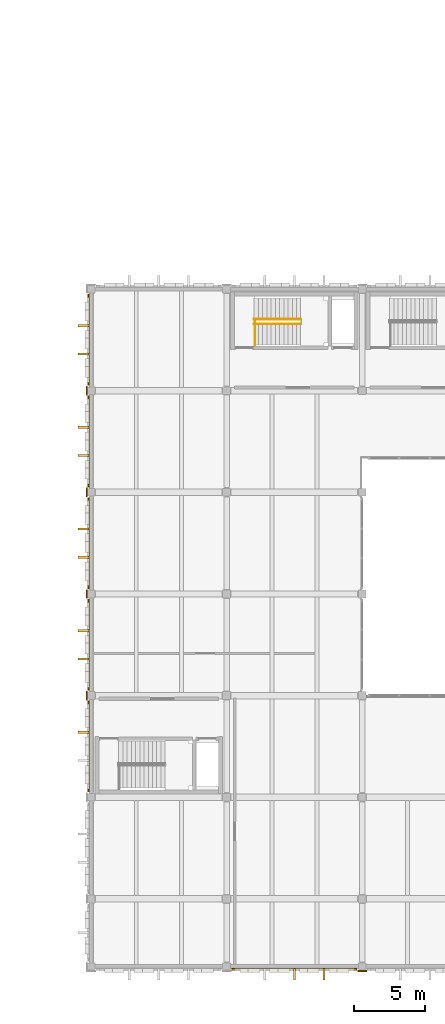
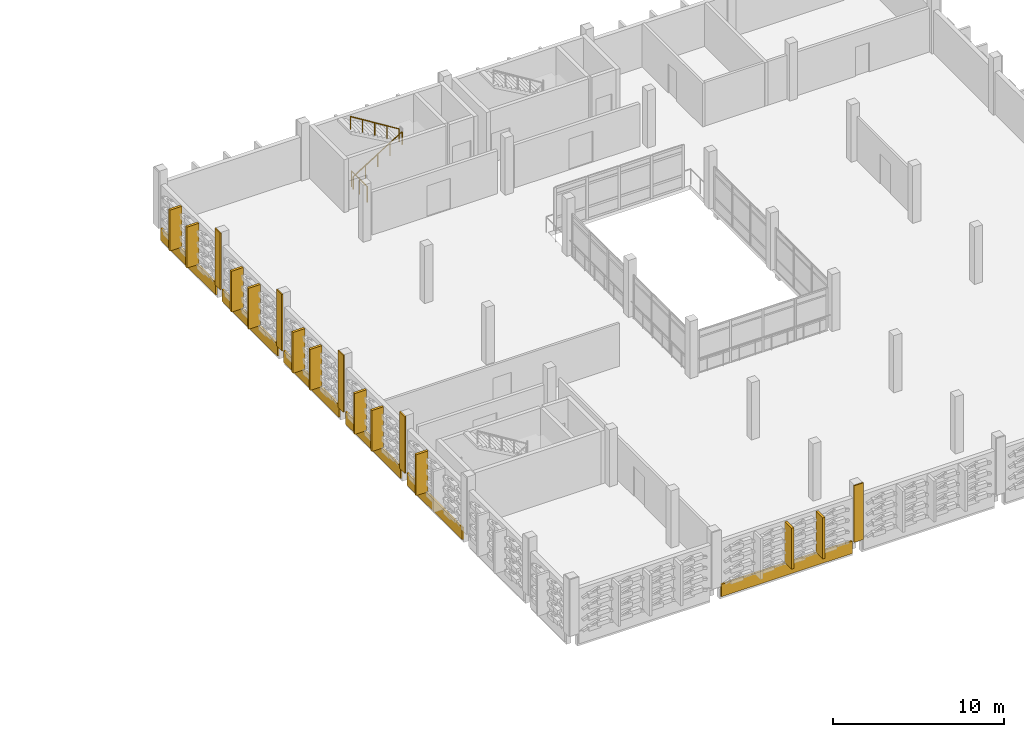
# One storey, part 62 of 72: 22 coverings, 3 railings.
"""IFC4 building model written with IfcOpenShell, lengths in metres."""

from ifc_helpers import new_model, si_unit, direction, frame, origin, origin_2d, place, context, subcontext, project, spatial, rectangle, circle, extrude, material, layer, layer_set, type_object, element, save


model = new_model("IFC4")

# Units and contexts
model_context = context("Model", 3, precision=1e-05, world=origin(), true_north=direction((0.0, 1.0)))
body_context = subcontext(model_context, "Body", "Model", "MODEL_VIEW")
ifc_project = project(units=[si_unit("LENGTHUNIT", "METRE"), si_unit("AREAUNIT", "SQUARE_METRE"), si_unit("VOLUMEUNIT", "CUBIC_METRE"), si_unit("PLANEANGLEUNIT", "RADIAN"), si_unit("MASSUNIT", "GRAM", prefix="KILO")], contexts=[model_context])

# Site, building, storey
site_placement = place(None, origin())
site = spatial("IfcSite", under=ifc_project, at=site_placement, CompositionType="ELEMENT")
building_placement = place(site_placement, origin())
building = spatial("IfcBuilding", under=site, at=building_placement, Name="Asteropetra Specialist Clinic", CompositionType="ELEMENT")
storey_placement = place(building_placement, frame((0.0, 0.0, 12.580078125)))
storey = spatial("IfcBuildingStorey", under=building, at=storey_placement, Name="L03", CompositionType="ELEMENT", Elevation=12.580078125)

# Coverings
ifc_material_1 = material(Name="Chevron sage")
ifc_layer_1 = layer(ifc_material_1, 0.1201171875)
ifc_layer_set_1 = layer_set([ifc_layer_1], Name="Chevron sage")
covering_type_1 = type_object("IfcCoveringType", Name="CLD-AEG-SAGE", PredefinedType="CLADDING", material=ifc_layer_set_1)
covering_1_placement = place(storey_placement, frame((120.0, -0.1875, -0.800048828125), z_axis=(0.0, 0.0, 1.0), x_axis=(1.0, 0.0, 0.0)))
element("IfcCovering", 1, at=covering_1_placement, inside=storey, type_object=covering_type_1, Name="Chevron Spandrel Band CV-2277", PredefinedType="CLADDING", context=body_context, shape_type="SweptSolid", body=[
    extrude(rectangle(XDim=8.85009765625, YDim=0.1201171875, at=origin_2d()), origin(), (0.0, 0.0, 1.0), 0.8798828125),
])
for number, where, z_axis, x_axis, name in (
    (2, (105.41259765625, 15.60009765625, -0.800048828125), (0.0, 0.0, 1.0), (1.0, 0.0, 0.0), "Chevron Spandrel Band CV-2289"),
    (3, (105.41259765625, 22.800048828125, -0.800048828125), (0.0, 0.0, 1.0), (1.0, 0.0, 0.0), "Chevron Spandrel Band CV-2291"),
    (4, (105.41259765625, 30.0, -0.800048828125), (0.0, 0.0, 1.0), (1.0, 0.0, 0.0), "Chevron Spandrel Band CV-2293"),
    (5, (105.41259765625, 37.199951171875, -0.800048828125), (0.0, 0.0, 1.0), (1.0, 0.0, 0.0), "Chevron Spandrel Band CV-2295"),
    (6, (105.41259765625, 44.39990234375, -0.800048828125), (0.0, 0.0, 1.0), (1.0, 0.0, 0.0), "Chevron Spandrel Band CV-2297"),
):
    element("IfcCovering", number, at=place(storey_placement, frame(where, z_axis=z_axis, x_axis=x_axis)), inside=storey, type_object=covering_type_1, Name=name, PredefinedType="CLADDING", context=body_context, shape_type="SweptSolid", body=[
        extrude(rectangle(XDim=0.1201171875, YDim=6.449951171875, at=origin_2d()), origin(), (0.0, 0.0, 1.0), 0.8798828125),
    ])
ifc_material_2 = material(Name="Pentelic marble ashlar", Category="masonry")
ifc_layer_2 = layer(ifc_material_2, 0.159912109375)
ifc_layer_set_2 = layer_set([ifc_layer_2], Name="Pentelic marble ashlar")
covering_type_2 = type_object("IfcCoveringType", Name="CRN-ENTAB-600", PredefinedType="MOLDING", material=ifc_layer_set_2)
for number, where, z_axis, x_axis, name in (
    (7, (105.29296875, 19.199951171875, 0.02001953125), (0.0, 0.0, 1.0), (1.0, 0.0, 0.0), "Neoclassical Pilaster Facing CM-1141"),
    (8, (105.29296875, 26.39990234375, 0.02001953125), (0.0, 0.0, 1.0), (1.0, 0.0, 0.0), "Neoclassical Pilaster Facing CM-1142"),
    (9, (105.29296875, 33.60009765625, 0.02001953125), (0.0, 0.0, 1.0), (1.0, 0.0, 0.0), "Neoclassical Pilaster Facing CM-1143"),
    (10, (105.29296875, 40.800048828125, 0.02001953125), (0.0, 0.0, 1.0), (1.0, 0.0, 0.0), "Neoclassical Pilaster Facing CM-1144"),
):
    element("IfcCovering", number, at=place(storey_placement, frame(where, z_axis=z_axis, x_axis=x_axis)), inside=storey, type_object=covering_type_2, Name=name, PredefinedType="MOLDING", context=body_context, shape_type="SweptSolid", body=[
        extrude(rectangle(XDim=0.080078125, YDim=0.6298828125, at=origin_2d()), origin(), (0.0, 0.0, 1.0), 4.0400390625),
    ])
covering_2_placement = place(storey_placement, frame((124.800048828125, -0.306884765625, 0.02001953125), z_axis=(0.0, 0.0, 1.0), x_axis=(1.0, 0.0, 0.0)))
element("IfcCovering", 11, at=covering_2_placement, inside=storey, type_object=covering_type_2, Name="Neoclassical Pilaster Facing CM-1149", PredefinedType="MOLDING", context=body_context, shape_type="SweptSolid", body=[
    extrude(rectangle(XDim=0.6298828125, YDim=0.080078125, at=origin_2d()), origin(), (0.0, 0.0, 1.0), 4.0400390625),
])
ifc_material_3 = material(Name="Pentelic marble solar fin", Category="masonry")
ifc_layer_3 = layer(ifc_material_3, 0.080078125)
ifc_layer_set_3 = layer_set([ifc_layer_3], Name="Pentelic marble solar fin")
covering_type_3 = type_object("IfcCoveringType", Name="FIN-SOLAR-800", PredefinedType="MOLDING", material=ifc_layer_set_3)
for number, where, z_axis, x_axis, name in (
    (12, (120.0, -0.54248046875, 0.070068359375), (0.0, 0.0, 1.0), (1.0, 0.0, 0.0), "Solar Shading Fin FN-0223"),
    (13, (122.1025390625, -0.54248046875, 0.070068359375), (0.0, 0.0, 1.0), (1.0, 0.0, 0.0), "Solar Shading Fin FN-0224"),
):
    element("IfcCovering", number, at=place(storey_placement, frame(where, z_axis=z_axis, x_axis=x_axis)), inside=storey, type_object=covering_type_3, Name=name, PredefinedType="MOLDING", context=body_context, shape_type="SweptSolid", body=[
        extrude(rectangle(XDim=0.159912109375, YDim=0.800048828125, at=origin_2d()), origin(), (0.0, 0.0, 1.0), 2.919921875),
    ])
for number, where, z_axis, x_axis, name in (
    (14, (105.0576171875, 16.601806640625, 0.070068359375), (0.0, 0.0, 1.0), (1.0, 0.0, 0.0), "Solar Shading Fin FN-0252"),
    (15, (105.0576171875, 23.8017578125, 0.070068359375), (0.0, 0.0, 1.0), (1.0, 0.0, 0.0), "Solar Shading Fin FN-0256"),
    (16, (105.0576171875, 21.79833984375, 0.070068359375), (0.0, 0.0, 1.0), (1.0, 0.0, 0.0), "Solar Shading Fin FN-0257"),
    (17, (105.0576171875, 31.001708984375, 0.070068359375), (0.0, 0.0, 1.0), (1.0, 0.0, 0.0), "Solar Shading Fin FN-0260"),
    (18, (105.0576171875, 28.998291015625, 0.070068359375), (0.0, 0.0, 1.0), (1.0, 0.0, 0.0), "Solar Shading Fin FN-0261"),
    (19, (105.0576171875, 38.20166015625, 0.070068359375), (0.0, 0.0, 1.0), (1.0, 0.0, 0.0), "Solar Shading Fin FN-0264"),
    (20, (105.0576171875, 36.1982421875, 0.070068359375), (0.0, 0.0, 1.0), (1.0, 0.0, 0.0), "Solar Shading Fin FN-0265"),
    (21, (105.0576171875, 45.401611328125, 0.070068359375), (0.0, 0.0, 1.0), (1.0, 0.0, 0.0), "Solar Shading Fin FN-0268"),
    (22, (105.0576171875, 43.398193359375, 0.070068359375), (0.0, 0.0, 1.0), (1.0, 0.0, 0.0), "Solar Shading Fin FN-0269"),
):
    element("IfcCovering", number, at=place(storey_placement, frame(where, z_axis=z_axis, x_axis=x_axis)), inside=storey, type_object=covering_type_3, Name=name, PredefinedType="MOLDING", context=body_context, shape_type="SweptSolid", body=[
        extrude(rectangle(XDim=0.800048828125, YDim=0.159912109375, at=origin_2d()), origin(), (0.0, 0.0, 1.0), 2.919921875),
    ])

# Railings
ifc_material_4 = material(Name="Steel S355 and laminated glass guard", Category="steel")
railing_type_1 = type_object("IfcRailingType", Name="GRD-INT-1120", PredefinedType="GUARDRAIL", material=ifc_material_4)
railing_1_placement = place(storey_placement, frame((117.199951171875, 43.97998046875, 0.0)))
element("IfcRailing", 23, at=railing_1_placement, inside=storey, type_object=railing_type_1, Name="Stair Well Guard ST10-L02", PredefinedType="GUARDRAIL", context=body_context, shape_type="SweptSolid", body=[
    extrude(circle(Radius=0.02392578125, at=origin_2d()), frame((0.0, 0.0, 1.09619140625), z_axis=(0.0, 1.0, 0.0), x_axis=(-1.0, 0.0, 0.0)), (0.0, 0.0, 1.0), 1.830078125),
    extrude(circle(Radius=0.02099609375, at=origin_2d()), origin(), (0.0, 0.0, 1.0), 1.072021484375),
    extrude(circle(Radius=0.02099609375, at=origin_2d()), frame((0.0, 0.9150390625, 0.0)), (0.0, 0.0, 1.0), 1.072021484375),
    extrude(circle(Radius=0.02099609375, at=origin_2d()), frame((0.0, 1.830078125, 0.0)), (0.0, 0.0, 1.0), 1.072021484375),
])
ifc_material_5 = material(Name="Brushed stainless steel handrail", Category="steel")
railing_type_2 = type_object("IfcRailingType", Name="HRL-STAIR-920", PredefinedType="HANDRAIL", material=ifc_material_5)
railing_2_placement = place(storey_placement, frame((117.14990234375, 45.52001953125, 0.0)))
element("IfcRailing", 24, at=railing_2_placement, inside=storey, type_object=railing_type_2, Name="Stair Handrail ST10-L03 F1", PredefinedType="HANDRAIL", context=body_context, shape_type="SweptSolid", body=[
    extrude(circle(Radius=0.02392578125, at=origin_2d()), frame((0.0, 0.0, 0.89599609375), z_axis=(0.850593546085, 0.0, 0.525823753132), x_axis=(0.0, 1.0, 0.0)), (0.0, 0.0, 1.0), 3.879638671875),
    extrude(circle(Radius=0.02099609375, at=origin_2d()), origin(), (0.0, 0.0, 1.0), 0.871826171875),
    extrude(circle(Radius=0.02099609375, at=origin_2d()), frame((0.824951171875, 0.0, 0.510009765625)), (0.0, 0.0, 1.0), 0.871826171875),
    extrude(circle(Radius=0.02099609375, at=origin_2d()), frame((1.64990234375, 0.0, 1.02001953125)), (0.0, 0.0, 1.0), 0.871826171875),
    extrude(circle(Radius=0.02099609375, at=origin_2d()), frame((2.47509765625, 0.0, 1.530029296875)), (0.0, 0.0, 1.0), 0.871826171875),
    extrude(circle(Radius=0.02099609375, at=origin_2d()), frame((3.300048828125, 0.0, 2.0400390625)), (0.0, 0.0, 1.0), 0.871826171875),
])
railing_3_placement = place(storey_placement, frame((120.449951171875, 45.860107421875, 2.0400390625)))
element("IfcRailing", 25, at=railing_3_placement, inside=storey, type_object=railing_type_2, Name="Stair Handrail ST10-L03 F2", PredefinedType="HANDRAIL", context=body_context, shape_type="SweptSolid", body=[
    extrude(circle(Radius=0.02392578125, at=origin_2d()), frame((0.0, 0.0, 0.89599609375), z_axis=(-0.850621690979, 0.0, 0.525778222101), x_axis=(0.0, -1.0, 0.0)), (0.0, 0.0, 1.0), 3.879638671875),
    extrude(circle(Radius=0.02099609375, at=origin_2d()), origin(), (0.0, 0.0, 1.0), 0.871826171875),
    extrude(circle(Radius=0.02099609375, at=origin_2d()), frame((-0.824951171875, 0.0, 0.510009765625)), (0.0, 0.0, 1.0), 0.871826171875),
    extrude(circle(Radius=0.02099609375, at=origin_2d()), frame((-1.64990234375, 0.0, 1.02001953125)), (0.0, 0.0, 1.0), 0.871826171875),
    extrude(circle(Radius=0.02099609375, at=origin_2d()), frame((-2.47509765625, 0.0, 1.52978515625)), (0.0, 0.0, 1.0), 0.871826171875),
    extrude(circle(Radius=0.02099609375, at=origin_2d()), frame((-3.300048828125, 0.0, 2.039794921875)), (0.0, 0.0, 1.0), 0.871826171875),
])

save(model, "model.ifc")
